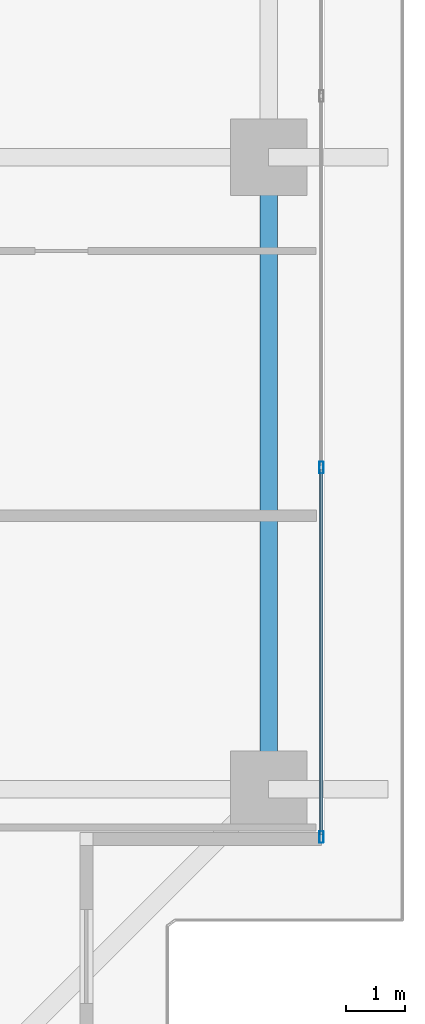
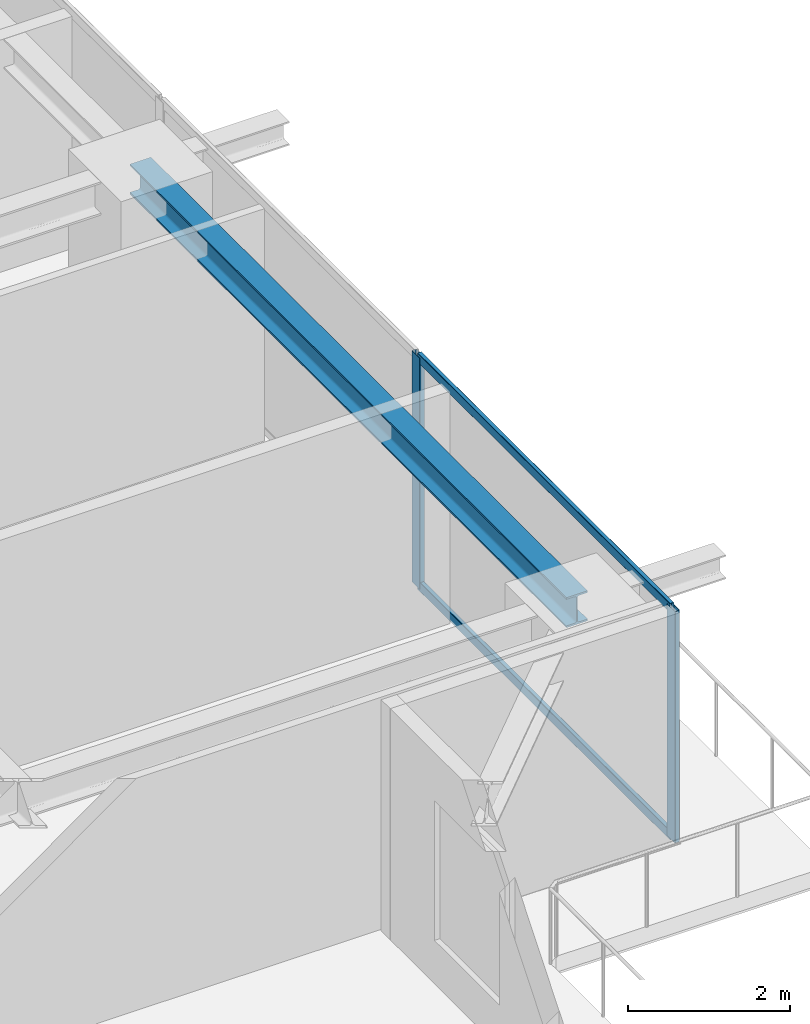
# One storey, part 14 of 37: 4 members, 1 beam, 1 element without a shape of its own.
"""IFC4 building model written with IfcOpenShell, lengths in metres."""

from ifc_helpers import new_model, si_unit, direction, frame, origin, origin_2d, place, context, subcontext, project, spatial, hollow_rectangle, i_section, extrude, source, transform, mapped, material, layer, layer_set, material_profile, profile_set, type_object, element, aggregate, save


model = new_model("IFC4")

# Units and contexts
model_context = context("Model", 3, precision=1e-05, world=origin(), true_north=direction((0.0, 1.0)))
body_context = subcontext(model_context, "Body", "Model", "MODEL_VIEW")
ifc_project = project(units=[si_unit("LENGTHUNIT", "METRE"), si_unit("AREAUNIT", "SQUARE_METRE"), si_unit("VOLUMEUNIT", "CUBIC_METRE"), si_unit("PLANEANGLEUNIT", "RADIAN"), si_unit("MASSUNIT", "GRAM", prefix="KILO")], contexts=[model_context])

# Site, building, storey
site_placement = place(None, origin())
site = spatial("IfcSite", under=ifc_project, at=site_placement, CompositionType="ELEMENT")
building_placement = place(site_placement, origin())
building = spatial("IfcBuilding", under=site, at=building_placement, Name="Serunith Strait Residences", CompositionType="ELEMENT")
storey_placement = place(building_placement, frame((0.0, 0.0, 138.89990234375)))
storey = spatial("IfcBuildingStorey", under=building, at=storey_placement, Name="L34", CompositionType="ELEMENT", Elevation=138.89990234375)

# Beam
ifc_material_1 = material(Name="Steel S355J2", Category="steel")
ifc_material_profile_1 = material_profile(ifc_material_1, i_section(OverallWidth=0.300048828125, OverallDepth=0.449951171875, WebThickness=0.013916015625, FlangeThickness=0.02587890625, FilletRadius=0.027099609375, at=origin_2d()), Name="HEB 450")
ifc_profile_set_1 = profile_set([ifc_material_profile_1], Name="Steel S355J2")
beam_type = type_object("IfcBeamType", Name="BM-HEB450", PredefinedType="BEAM", material=ifc_profile_set_1)
shared_shape_1 = source(origin(), body_context, "Body", "SweptSolid", [
    extrude(i_section(OverallWidth=0.300048828125, OverallDepth=0.449951171875, WebThickness=0.013916015625, FlangeThickness=0.02587890625, FilletRadius=0.027099609375, at=origin_2d()), origin(), (0.0, 0.0, 1.0), 10.75),
])
beam_placement = place(storey_placement, frame((56.10009765625, 10.25, 3.26220703125), z_axis=(0.0, 1.0, 0.0), x_axis=(-1.0, 0.0, 0.0)))
element("IfcBeam", 1, at=beam_placement, inside=storey, type_object=beam_type, Name="L34 Perimeter Ring Beam 05", PredefinedType="BEAM", context=body_context, shape_type="MappedRepresentation", body=[
    mapped(shared_shape_1, transform((0.0, 0.0, 0.0), scale=1.0)),
])

# Curtain wall, members
ifc_material_2 = material(Name="Pale-Champagne Anodised Aluminium", Category="aluminium")
ifc_layer = layer(ifc_material_2, 0.199951171875, Name="Pale-Champagne Anodised Aluminium")
ifc_layer_set = layer_set([ifc_layer], Name="Pale-Champagne Anodised Aluminium")
curtain_wall_type = type_object("IfcCurtainWallType", Name="CW-SYS2", PredefinedType="NOTDEFINED", material=ifc_layer_set)
curtain_wall_placement = place(storey_placement, origin())
curtain_wall = element("IfcCurtainWall", 2, at=curtain_wall_placement, inside=storey, type_object=curtain_wall_type, Name="L34 E Unitised Fritted Curtain Wall", PredefinedType="NOTDEFINED")
ifc_material_profile_2 = material_profile(ifc_material_2, hollow_rectangle(XDim=0.070068359375, YDim=0.199951171875, WallThickness=0.00390625, InnerFilletRadius=0.006103515625, OuterFilletRadius=0.010009765625, at=origin_2d()), Name="ALU 200x70x4")
ifc_profile_set_2 = profile_set([ifc_material_profile_2], Name="Pale-Champagne Anodised Aluminium")
member_type_1 = type_object("IfcMemberType", Name="CW-SYS2-MULL", PredefinedType="MULLION", material=ifc_profile_set_2)
shared_shape_2 = source(origin(), body_context, "Body", "SweptSolid", [
    extrude(hollow_rectangle(XDim=0.070068359375, YDim=0.199951171875, WallThickness=0.00390625, InnerFilletRadius=0.006103515625, OuterFilletRadius=0.010009765625, at=origin_2d()), origin(), (0.0, 0.0, 1.0), 3.47509765625),
])
member_1_placement = place(storey_placement, frame((57.0, 9.43505859375, 0.0), z_axis=(0.0, 0.0, 1.0), x_axis=(-1.0, 0.0, 0.0)))
member_1 = element("IfcMember", 3, at=member_1_placement, type_object=member_type_1, Name="CW-2 mullion 1", PredefinedType="MULLION", context=body_context, shape_type="MappedRepresentation", body=[
    mapped(shared_shape_2, transform((0.0, 0.0, 0.0), scale=1.0)),
])
member_2_placement = place(storey_placement, frame((57.0, 15.719970703125, 0.0), z_axis=(0.0, 0.0, 1.0), x_axis=(-1.0, 0.0, 0.0)))
member_2 = element("IfcMember", 4, at=member_2_placement, type_object=member_type_1, Name="CW-2 mullion 2", PredefinedType="MULLION", context=body_context, shape_type="MappedRepresentation", body=[
    mapped(shared_shape_2, transform((0.0, 0.0, 0.0), scale=1.0)),
])
ifc_material_profile_3 = material_profile(ifc_material_2, hollow_rectangle(XDim=0.06005859375, YDim=0.139892578125, WallThickness=0.00341796875, InnerFilletRadius=0.00537109375, OuterFilletRadius=0.0087890625, at=origin_2d()), Name="ALU 140x60x3.5")
ifc_profile_set_3 = profile_set([ifc_material_profile_3], Name="Pale-Champagne Anodised Aluminium")
member_type_2 = type_object("IfcMemberType", Name="CW-SYS2-TRAN", PredefinedType="USERDEFINED", material=ifc_profile_set_3)
shared_shape_3 = source(origin(), body_context, "Body", "SweptSolid", [
    extrude(hollow_rectangle(XDim=0.06005859375, YDim=0.139892578125, WallThickness=0.00341796875, InnerFilletRadius=0.00537109375, OuterFilletRadius=0.0087890625, at=origin_2d()), origin(), (0.0, 0.0, 1.0), 6.215087890625),
])
member_3_placement = place(storey_placement, frame((57.0, 9.469970703125, 0.030029296875), z_axis=(0.0, 1.0, 0.0), x_axis=(-1.0, 0.0, 0.0)))
member_3 = element("IfcMember", 5, at=member_3_placement, type_object=member_type_2, Name="CW-2 transom 1.1", ObjectType="TRANSOM", PredefinedType="USERDEFINED", context=body_context, shape_type="MappedRepresentation", body=[
    mapped(shared_shape_3, transform((0.0, 0.0, 0.0), scale=1.0)),
])
member_4_placement = place(storey_placement, frame((57.0, 9.469970703125, 3.445068359375), z_axis=(0.0, 1.0, 0.0), x_axis=(-1.0, 0.0, 0.0)))
member_4 = element("IfcMember", 6, at=member_4_placement, type_object=member_type_2, Name="CW-2 transom 1.2", ObjectType="TRANSOM", PredefinedType="USERDEFINED", context=body_context, shape_type="MappedRepresentation", body=[
    mapped(shared_shape_3, transform((0.0, 0.0, 0.0), scale=1.0)),
])
aggregate(curtain_wall, [member_1, member_2, member_3, member_4])

save(model, "model.ifc")
